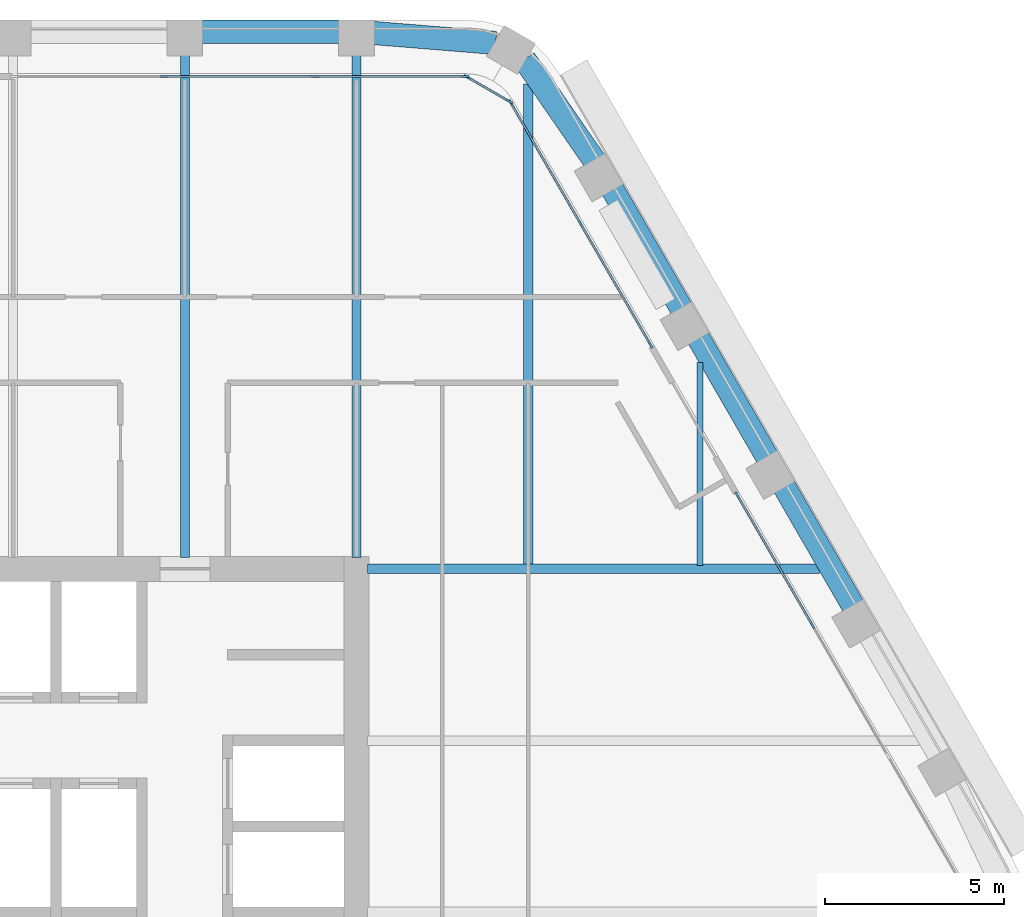
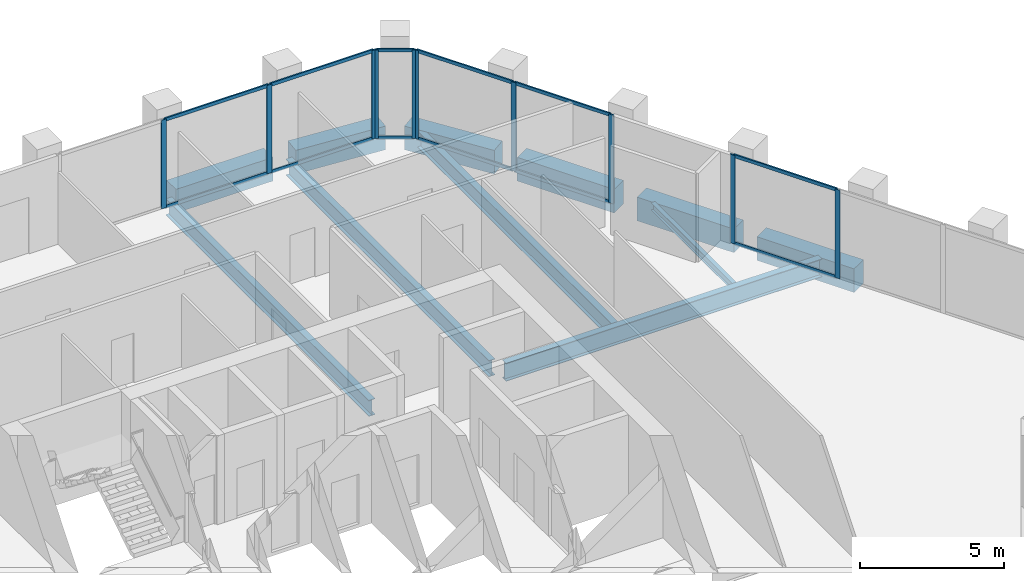
# One storey, part 6 of 15: 22 members, 11 beams, 4 elements without a shape of their own.
"""IFC4 building model written with IfcOpenShell, lengths in metres."""

import ifcopenshell
import ifcopenshell.guid

model = None  # the IFC model being written
_history = None  # IfcOwnerHistory: only IFC2X3 demands one
_inside = {}  # id of a spatial element -> (the spatial element, [elements in it])
_under = {}  # id of a project, library or spatial element -> (it, [spatial elements below it])
_declared = {}  # id of a project -> (the project, [libraries it declares])
_typed = {}  # id of a type object -> (the type object, [elements of that type])
_made_of = {}  # id of a material, layer set ... -> (it, [elements and type objects made of it])


def new_model(schema):
    """Start an empty IFC model of exactly this schema.

    Asked for "IFC4X3", IfcOpenShell would pick the latest addendum, in which some entities
    have other attributes; the version numbers below select the first issue.
    IFC2X3 requires an IfcOwnerHistory on every rooted entity: one is made here for all.
    """
    global model, _history
    if schema == "IFC4X3":
        model = ifcopenshell.file(schema_version=(4, 3, 0, 0))
    else:
        model = ifcopenshell.file(schema=schema)
    _inside.clear()
    _under.clear()
    _declared.clear()
    _typed.clear()
    _made_of.clear()
    _history = None
    if model.schema == "IFC2X3":
        org = make("IfcOrganization", Name="unknown")
        user = make(
            "IfcPersonAndOrganization",
            ThePerson=make("IfcPerson", FamilyName="unknown"),
            TheOrganization=org,
        )
        app = make(
            "IfcApplication",
            ApplicationDeveloper=org,
            Version="unknown",
            ApplicationFullName="unknown",
            ApplicationIdentifier="unknown",
        )
        _history = make(
            "IfcOwnerHistory",
            OwningUser=user,
            OwningApplication=app,
            ChangeAction="ADDED",
            CreationDate=0,
        )
    return model


def make(cls, **values):
    """One entity of the class cls with the attributes given. An attribute that is None is left unset."""
    return model.create_entity(
        cls, **{name: value for name, value in values.items() if value is not None}
    )


def rooted(cls, **values):
    """An entity with a GlobalId (a new one), such as an element, a storey or a relation."""
    return make(cls, GlobalId=ifcopenshell.guid.new(), OwnerHistory=_history, **values)


def si_unit(unit_type, name, prefix=None):
    """IfcSIUnit, for example si_unit("LENGTHUNIT", "METRE", prefix="MILLI")."""
    return make("IfcSIUnit", UnitType=unit_type, Prefix=prefix, Name=name)


def assignment(units):
    """IfcUnitAssignment: the units of a project."""
    return None if units is None else make("IfcUnitAssignment", Units=units)


def point(xyz):
    """IfcCartesianPoint."""
    return None if xyz is None else make("IfcCartesianPoint", Coordinates=xyz)


def direction(xyz):
    """IfcDirection."""
    return None if xyz is None else make("IfcDirection", DirectionRatios=xyz)


def frame(location, z_axis=None, x_axis=None):
    """IfcAxis2Placement3D, a coordinate frame: its origin and axes. An axis left out is left unset."""
    return make(
        "IfcAxis2Placement3D",
        Location=point(location),
        Axis=direction(z_axis),
        RefDirection=direction(x_axis),
    )


def frame_2d(location, x_axis=None):
    """IfcAxis2Placement2D, a coordinate frame in the plane: its origin and x axis."""
    return make(
        "IfcAxis2Placement2D", Location=point(location), RefDirection=direction(x_axis)
    )


def origin():
    """The frame at (0, 0, 0) with its axes left unset."""
    return frame((0.0, 0.0, 0.0))


def origin_2d():
    """The frame at (0, 0) in the plane with its x axis left unset."""
    return frame_2d((0.0, 0.0))


def place(relative_to, where):
    """IfcLocalPlacement: puts the frame where relative to a parent placement (None: the world)."""
    return make(
        "IfcLocalPlacement", PlacementRelTo=relative_to, RelativePlacement=where
    )


def context(
    kind, dimensions, precision=None, world=None, true_north=None, identifier=None
):
    """IfcGeometricRepresentationContext, for example the 3D "Model" context."""
    return make(
        "IfcGeometricRepresentationContext",
        ContextIdentifier=identifier,
        ContextType=kind,
        CoordinateSpaceDimension=dimensions,
        Precision=precision,
        WorldCoordinateSystem=world,
        TrueNorth=true_north,
    )


def subcontext(parent, identifier, kind, view, scale=None):
    """IfcGeometricRepresentationSubContext, for example "Body" below "Model"."""
    return make(
        "IfcGeometricRepresentationSubContext",
        ContextIdentifier=identifier,
        ContextType=kind,
        ParentContext=parent,
        TargetScale=scale,
        TargetView=view,
    )


def project(units=None, contexts=None):
    """IfcProject with its units and contexts."""
    return rooted(
        "IfcProject",
        Name="project",
        RepresentationContexts=contexts,
        UnitsInContext=assignment(units),
    )


def spatial(cls, under=None, at=None, **own):
    """A site, building, storey or space (cls), placed at a placement, below another one or the project."""
    s = rooted(cls, ObjectPlacement=at, **own)
    if under is not None:
        _under.setdefault(under.id(), (under, []))[1].append(s)
    return s


def profile(cls, at=None, kind="AREA", **sizes):
    """A parametric profile (cls). Its sizes go by their IFC names, for example OverallWidth=200.0."""
    return make(cls, ProfileType=kind, Position=at, **sizes)


def rectangle(**sizes):
    """IfcRectangleProfileDef."""
    return profile("IfcRectangleProfileDef", **sizes)


def i_section(**sizes):
    """IfcIShapeProfileDef."""
    return profile("IfcIShapeProfileDef", **sizes)


def extrude(swept, where, along, depth):
    """IfcExtrudedAreaSolid: the profile swept, set in the frame where, extruded along a direction by depth."""
    return make(
        "IfcExtrudedAreaSolid",
        SweptArea=swept,
        Position=where,
        ExtrudedDirection=direction(along),
        Depth=depth,
    )


def shape(context_of_items, identifier, shape_type, items):
    """IfcShapeRepresentation: the items that make up one representation, for example the "Body"."""
    return make(
        "IfcShapeRepresentation",
        ContextOfItems=context_of_items,
        RepresentationIdentifier=identifier,
        RepresentationType=shape_type,
        Items=items,
    )


def material(Name=None, Category=None):
    """IfcMaterial."""
    return make("IfcMaterial", Name=Name, Category=Category)


def material_profile(
    of_material, cross_section, Name=None, Category=None, Priority=None
):
    """IfcMaterialProfile: a cross section and its material."""
    return make(
        "IfcMaterialProfile",
        Name=Name,
        Material=of_material,
        Profile=cross_section,
        Priority=Priority,
        Category=Category,
    )


def profile_set(profiles, Name=None, composite=None):
    """IfcMaterialProfileSet."""
    return make(
        "IfcMaterialProfileSet",
        Name=Name,
        MaterialProfiles=profiles,
        CompositeProfile=composite,
    )


def made_of(thing, what):
    """Note that an element or type object is made of a material, layer set ...; save() writes the relation."""
    if what is not None:
        _made_of.setdefault(what.id(), (what, []))[1].append(thing)
    return thing


def type_object(cls, material=None, **own):
    """A type object (cls), such as IfcWallType, which elements share."""
    return made_of(rooted(cls, **own), material)


def element(
    cls,
    number,
    at=None,
    inside=None,
    cuts=None,
    type_object=None,
    material=None,
    context=None,
    identifier="Body",
    shape_type=None,
    held_by="IfcProductDefinitionShape",
    body=None,
    shapes=None,
    **own,
):
    """One element of the class cls, such as IfcWall. Its Tag is "e" and its number.

    at: its placement. inside: the storey or other place that contains it. cuts: it is an
    opening in that element (IfcRelVoidsElement). A single representation is given by context,
    identifier, shape_type and body (its items); several are given by shapes. held_by: the class
    of the entity that holds the representations. save() writes the other relations.
    """
    e = rooted(cls, Tag="e%d" % number, ObjectPlacement=at, **own)
    if body is not None:
        shapes = [shape(context, identifier, shape_type, body)]
    if shapes is not None:
        e.Representation = make(held_by, Representations=shapes)
    if inside is not None:
        _inside.setdefault(inside.id(), (inside, []))[1].append(e)
    if cuts is not None:
        rooted(
            "IfcRelVoidsElement", RelatingBuildingElement=cuts, RelatedOpeningElement=e
        )
    if type_object is not None:
        _typed.setdefault(type_object.id(), (type_object, []))[1].append(e)
    return made_of(e, material)


def aggregate(whole, parts):
    """IfcRelAggregates: a whole, such as a stair, and the parts it consists of."""
    return rooted("IfcRelAggregates", RelatingObject=whole, RelatedObjects=parts)


def save(model, path):
    """Write the relations noted so far, then the file.

    IfcRelAggregates (storeys below a building ...), IfcRelContainedInSpatialStructure (elements
    in a storey), IfcRelDefinesByType, IfcRelAssociatesMaterial and IfcRelDeclares: one each for
    every whole, place, type object, material and project.
    """
    for whole, parts in _under.values():
        aggregate(whole, parts)
    for where, things in _inside.values():
        rooted(
            "IfcRelContainedInSpatialStructure",
            RelatedElements=things,
            RelatingStructure=where,
        )
    for kind, things in _typed.values():
        rooted("IfcRelDefinesByType", RelatedObjects=things, RelatingType=kind)
    for what, things in _made_of.values():
        rooted("IfcRelAssociatesMaterial", RelatedObjects=things, RelatingMaterial=what)
    for by, libraries in _declared.values():
        rooted("IfcRelDeclares", RelatingContext=by, RelatedDefinitions=libraries)
    model.write(path)


model = new_model("IFC4")

# Units and contexts
model_context = context("Model", 3, precision=1e-05, world=origin(), true_north=direction((0.0, 1.0)))
body_context = subcontext(model_context, "Body", "Model", "MODEL_VIEW")
ifc_project = project(units=[si_unit("LENGTHUNIT", "METRE"), si_unit("AREAUNIT", "SQUARE_METRE"), si_unit("VOLUMEUNIT", "CUBIC_METRE"), si_unit("PLANEANGLEUNIT", "RADIAN"), si_unit("MASSUNIT", "GRAM", prefix="KILO")], contexts=[model_context])

# Site, building, storey
site_placement = place(None, origin())
site = spatial("IfcSite", under=ifc_project, at=site_placement, CompositionType="ELEMENT")
building_placement = place(site_placement, origin())
building = spatial("IfcBuilding", under=site, at=building_placement, Name="Kolab Exchange Tower", CompositionType="ELEMENT")
storey_placement = place(building_placement, frame((0.0, 0.0, 185.60009765625)))
storey = spatial("IfcBuildingStorey", under=building, at=storey_placement, Name="L39", CompositionType="ELEMENT", Elevation=185.60009765625)

# Beams
ifc_material_1 = material(Name="Steel S355", Category="steel")
ifc_material_profile_1 = material_profile(ifc_material_1, i_section(OverallWidth=0.1650390625, OverallDepth=0.31005859375, WebThickness=0.005859375, FlangeThickness=0.009765625, at=origin_2d()), Name="W310X39")
ifc_profile_set_1 = profile_set([ifc_material_profile_1], Name="Steel S355")
beam_type_1 = type_object("IfcBeamType", Name="FLOOR BEAM W310X39", PredefinedType="BEAM", material=ifc_profile_set_1)
beam_1_placement = place(storey_placement, frame((19.199951171875, 9.693603515625, -0.30517578125), z_axis=(0.0, 1.0, 0.0), x_axis=(-1.0, 0.0, 0.0)))
element("IfcBeam", 1, at=beam_1_placement, inside=storey, type_object=beam_type_1, Name="beam/L39/fr/023", PredefinedType="BEAM", context=body_context, shape_type="SweptSolid", body=[
    extrude(i_section(OverallWidth=0.1650390625, OverallDepth=0.31005859375, WebThickness=0.005859375, FlangeThickness=0.009765625, at=origin_2d()), origin(), (0.0, 0.0, 1.0), 5.674072265625),
])
ifc_material_profile_2 = material_profile(ifc_material_1, i_section(OverallWidth=0.25390625, OverallDepth=0.68408203125, WebThickness=0.012451171875, FlangeThickness=0.018798828125, at=origin_2d()), Name="W690X140")
ifc_profile_set_2 = profile_set([ifc_material_profile_2], Name="Steel S355")
beam_type_2 = type_object("IfcBeamType", Name="FLOOR BEAM W690X140", PredefinedType="BEAM", material=ifc_profile_set_2)
for number, where, z_axis, x_axis, name in (
    (2, (4.800048828125, 9.909912109375, -0.4921875), (0.0, 1.0, 0.0), (-1.0, 0.0, 0.0), "beam/L39/fr/014"),
    (3, (9.60009765625, 9.909912109375, -0.4921875), (0.0, 1.0, 0.0), (-1.0, 0.0, 0.0), "beam/L39/fr/016"),
):
    element("IfcBeam", number, at=place(storey_placement, frame(where, z_axis=z_axis, x_axis=x_axis)), inside=storey, type_object=beam_type_2, Name=name, PredefinedType="BEAM", context=body_context, shape_type="SweptSolid", body=[
        extrude(i_section(OverallWidth=0.25390625, OverallDepth=0.68408203125, WebThickness=0.012451171875, FlangeThickness=0.018798828125, at=origin_2d()), origin(), (0.0, 0.0, 1.0), 14.071533203125),
    ])
beam_2_placement = place(storey_placement, frame((14.39990234375, 9.693603515625, -0.4921875), z_axis=(0.0, 1.0, 0.0), x_axis=(-1.0, 0.0, 0.0)))
element("IfcBeam", 4, at=beam_2_placement, inside=storey, type_object=beam_type_2, Name="beam/L39/fr/021", PredefinedType="BEAM", context=body_context, shape_type="SweptSolid", body=[
    extrude(i_section(OverallWidth=0.25390625, OverallDepth=0.68408203125, WebThickness=0.012451171875, FlangeThickness=0.018798828125, at=origin_2d()), origin(), (0.0, 0.0, 1.0), 13.462158203125),
])
ifc_material_profile_3 = material_profile(ifc_material_1, i_section(OverallWidth=0.26708984375, OverallDepth=0.761962890625, WebThickness=0.014404296875, FlangeThickness=0.021484375, at=origin_2d()), Name="W760X173")
ifc_profile_set_3 = profile_set([ifc_material_profile_3], Name="Steel S355")
beam_type_3 = type_object("IfcBeamType", Name="FLOOR GIRDER W760X173", PredefinedType="BEAM", material=ifc_profile_set_3)
beam_3_placement = place(storey_placement, frame((9.909912109375, 9.60009765625, -0.531005859375), z_axis=(1.0, 0.0, 0.0), x_axis=(0.0, 1.0, 0.0)))
element("IfcBeam", 5, at=beam_3_placement, inside=storey, type_object=beam_type_3, Name="beam/L39/gd/003", PredefinedType="BEAM", context=body_context, shape_type="SweptSolid", body=[
    extrude(i_section(OverallWidth=0.26708984375, OverallDepth=0.761962890625, WebThickness=0.014404296875, FlangeThickness=0.021484375, at=origin_2d()), origin(), (0.0, 0.0, 1.0), 12.636962890625),
])
ifc_material_2 = material(Name="Concrete C60/75", Category="concrete")
ifc_material_profile_4 = material_profile(ifc_material_2, rectangle(XDim=0.64990234375, YDim=1.0, at=origin_2d()), Name="RC650X1000")
ifc_profile_set_4 = profile_set([ifc_material_profile_4], Name="Concrete C60/75")
beam_type_4 = type_object("IfcBeamType", Name="SPANDREL BEAM 650X1000 C60/75", PredefinedType="BEAM", material=ifc_profile_set_4)
beam_4_placement = place(storey_placement, frame((5.260009765625, 24.616455078125, -0.650146484375), z_axis=(1.0, 0.0, 0.0), x_axis=(0.0, 1.0, 0.0)))
element("IfcBeam", 6, at=beam_4_placement, inside=storey, type_object=beam_type_4, Name="beam/L39/sp/F1-05", PredefinedType="BEAM", context=body_context, shape_type="SweptSolid", body=[
    extrude(rectangle(XDim=0.64990234375, YDim=1.0, at=origin_2d()), origin(), (0.0, 0.0, 1.0), 3.8798828125),
])
for number, where, z_axis, x_axis, name in (
    (7, (10.06005859375, 24.5791015625, -0.650146484375), (0.996708497182, -0.081068931445, 0.0), (0.081068931445, 0.996708497182, 0.0), "beam/L39/sp/F1-06"),
    (8, (14.29736328125, 23.8359375, -0.650146484375), (0.568572281073, -0.822633309073, 0.0), (0.822633309073, 0.568572281073, 0.0), "beam/L39/sp/F2-01"),
):
    element("IfcBeam", number, at=place(storey_placement, frame(where, z_axis=z_axis, x_axis=x_axis)), inside=storey, type_object=beam_type_4, Name=name, PredefinedType="BEAM", context=body_context, shape_type="SweptSolid", body=[
        extrude(rectangle(XDim=0.64990234375, YDim=1.0, at=origin_2d()), origin(), (0.0, 0.0, 1.0), 3.445068359375),
    ])
beam_5_placement = place(storey_placement, frame((16.74853515625, 20.2236328125, -0.650146484375), z_axis=(0.499996613652, -0.866027358884, 0.0), x_axis=(0.866027358884, 0.499996613652, 0.0)))
element("IfcBeam", 9, at=beam_5_placement, inside=storey, type_object=beam_type_4, Name="beam/L39/sp/F2-02", PredefinedType="BEAM", context=body_context, shape_type="SweptSolid", body=[
    extrude(rectangle(XDim=0.64990234375, YDim=1.0, at=origin_2d()), origin(), (0.0, 0.0, 1.0), 3.8798828125),
])
beam_6_placement = place(storey_placement, frame((19.1484375, 16.06689453125, -0.650146484375), z_axis=(0.50001655835, -0.866015843605, 0.0), x_axis=(0.866015843605, 0.50001655835, 0.0)))
element("IfcBeam", 10, at=beam_6_placement, inside=storey, type_object=beam_type_4, Name="beam/L39/sp/F2-03", PredefinedType="BEAM", context=body_context, shape_type="SweptSolid", body=[
    extrude(rectangle(XDim=0.64990234375, YDim=1.0, at=origin_2d()), origin(), (0.0, 0.0, 1.0), 3.880126953125),
])
beam_7_placement = place(storey_placement, frame((21.548583984375, 11.909912109375, -0.650146484375), z_axis=(0.499996613652, -0.866027358884, 0.0), x_axis=(0.866027358884, 0.499996613652, 0.0)))
element("IfcBeam", 11, at=beam_7_placement, inside=storey, type_object=beam_type_4, Name="beam/L39/sp/F2-04", PredefinedType="BEAM", context=body_context, shape_type="SweptSolid", body=[
    extrude(rectangle(XDim=0.64990234375, YDim=1.0, at=origin_2d()), origin(), (0.0, 0.0, 1.0), 3.8798828125),
])

# Curtain wall, members
ifc_material_3 = material(Name="Aluminium EN AW-6063 T6", Category="aluminium")
curtain_wall_type = type_object("IfcCurtainWallType", Name="UNITISED UPPER MID ZONE CURTAIN WALL", PredefinedType="NOTDEFINED", material=ifc_material_3)
curtain_wall_1_placement = place(storey_placement, origin())
curtain_wall_1 = element("IfcCurtainWall", 12, at=curtain_wall_1_placement, inside=storey, type_object=curtain_wall_type, Name="cw/L39/F1-2", PredefinedType="NOTDEFINED")
ifc_material_profile_5 = material_profile(ifc_material_3, rectangle(XDim=0.06005859375, YDim=0.199951171875, at=origin_2d()), Name="RECT 60X200")
ifc_profile_set_5 = profile_set([ifc_material_profile_5], Name="Aluminium EN AW-6063 T6")
member_type_1 = type_object("IfcMemberType", Name="UNITISED UPPER MID ZONE MULLION 60 X 200", PredefinedType="MULLION", material=ifc_profile_set_5)
member_1_placement = place(storey_placement, frame((4.22265625, 23.361572265625, 0.0), z_axis=(0.0, 0.0, 1.0), x_axis=(0.0, 1.0, 0.0)))
member_1 = element("IfcMember", 13, at=member_1_placement, type_object=member_type_1, Name="CW3 mullion 2", PredefinedType="MULLION", context=body_context, shape_type="SweptSolid", body=[
    extrude(rectangle(XDim=0.06005859375, YDim=0.199951171875, at=origin_2d()), origin(), (0.0, 0.0, 1.0), 3.75),
])
member_2_placement = place(storey_placement, frame((8.4453125, 23.361572265625, 0.0), z_axis=(0.0, 0.0, 1.0), x_axis=(0.0, 1.0, 0.0)))
member_2 = element("IfcMember", 14, at=member_2_placement, type_object=member_type_1, Name="CW3 mullion 3", PredefinedType="MULLION", context=body_context, shape_type="SweptSolid", body=[
    extrude(rectangle(XDim=0.06005859375, YDim=0.199951171875, at=origin_2d()), origin(), (0.0, 0.0, 1.0), 3.75),
])
member_3_placement = place(storey_placement, frame((12.637939453125, 23.361572265625, 0.0), z_axis=(0.0, 0.0, 1.0), x_axis=(0.0, 1.0, 0.0)))
member_3 = element("IfcMember", 15, at=member_3_placement, type_object=member_type_1, Name="CW3 mullion 4", PredefinedType="MULLION", context=body_context, shape_type="SweptSolid", body=[
    extrude(rectangle(XDim=0.06005859375, YDim=0.199951171875, at=origin_2d()), origin(), (0.0, 0.0, 1.0), 3.75),
])

curtain_wall_2_placement = place(storey_placement, origin())
curtain_wall_2 = element("IfcCurtainWall", 16, at=curtain_wall_2_placement, inside=storey, type_object=curtain_wall_type, Name="cw/L39/F2-1", PredefinedType="NOTDEFINED")
member_4_placement = place(storey_placement, frame((13.91259765625, 22.62548828125, 0.0), z_axis=(0.0, 0.0, 1.0), x_axis=(0.866025385493, 0.500000031681, 0.0)))
member_4 = element("IfcMember", 17, at=member_4_placement, type_object=member_type_1, Name="CW3 mullion 1", PredefinedType="MULLION", context=body_context, shape_type="SweptSolid", body=[
    extrude(rectangle(XDim=0.06005859375, YDim=0.199951171875, at=origin_2d()), origin(), (0.0, 0.0, 1.0), 3.75),
])
member_5_placement = place(storey_placement, frame((15.86474609375, 19.24462890625, 0.0), z_axis=(0.0, 0.0, 1.0), x_axis=(0.866025385493, 0.500000031681, 0.0)))
member_5 = element("IfcMember", 18, at=member_5_placement, type_object=member_type_1, Name="CW3 mullion 2", PredefinedType="MULLION", context=body_context, shape_type="SweptSolid", body=[
    extrude(rectangle(XDim=0.06005859375, YDim=0.199951171875, at=origin_2d()), origin(), (0.0, 0.0, 1.0), 3.75),
])
member_6_placement = place(storey_placement, frame((17.816650390625, 15.86376953125, 0.0), z_axis=(0.0, 0.0, 1.0), x_axis=(0.866025385493, 0.500000031681, 0.0)))
member_6 = element("IfcMember", 19, at=member_6_placement, type_object=member_type_1, Name="CW3 mullion 3", PredefinedType="MULLION", context=body_context, shape_type="SweptSolid", body=[
    extrude(rectangle(XDim=0.06005859375, YDim=0.199951171875, at=origin_2d()), origin(), (0.0, 0.0, 1.0), 3.75),
])

curtain_wall_3_placement = place(storey_placement, origin())
curtain_wall_3 = element("IfcCurtainWall", 20, at=curtain_wall_3_placement, inside=storey, type_object=curtain_wall_type, Name="cw/L39/F2-2", PredefinedType="NOTDEFINED")
member_7_placement = place(storey_placement, frame((20.24658203125, 11.65478515625, 0.0), z_axis=(0.0, 0.0, 1.0), x_axis=(0.866025427826, 0.499999958358, 0.0)))
member_7 = element("IfcMember", 21, at=member_7_placement, type_object=member_type_1, Name="CW3 mullion 1", PredefinedType="MULLION", context=body_context, shape_type="SweptSolid", body=[
    extrude(rectangle(XDim=0.06005859375, YDim=0.199951171875, at=origin_2d()), origin(), (0.0, 0.0, 1.0), 3.75),
])
member_8_placement = place(storey_placement, frame((22.343017578125, 8.02392578125, 0.0), z_axis=(0.0, 0.0, 1.0), x_axis=(0.866025427826, 0.499999958358, 0.0)))
member_8 = element("IfcMember", 22, at=member_8_placement, type_object=member_type_1, Name="CW3 mullion 2", PredefinedType="MULLION", context=body_context, shape_type="SweptSolid", body=[
    extrude(rectangle(XDim=0.06005859375, YDim=0.199951171875, at=origin_2d()), origin(), (0.0, 0.0, 1.0), 3.75),
])

curtain_wall_4_placement = place(storey_placement, origin())
curtain_wall_4 = element("IfcCurtainWall", 23, at=curtain_wall_4_placement, inside=storey, type_object=curtain_wall_type, Name="cw/L39/F1F2-corner", PredefinedType="NOTDEFINED")
member_9_placement = place(storey_placement, frame((12.69384765625, 23.346435546875, 0.0), z_axis=(0.0, 0.0, 1.0), x_axis=(0.50000002237, 0.866025390869, 0.0)))
member_9 = element("IfcMember", 24, at=member_9_placement, type_object=member_type_1, Name="CW3 mullion 1", PredefinedType="MULLION", context=body_context, shape_type="SweptSolid", body=[
    extrude(rectangle(XDim=0.06005859375, YDim=0.199951171875, at=origin_2d()), origin(), (0.0, 0.0, 1.0), 3.75),
])
member_10_placement = place(storey_placement, frame((13.871826171875, 22.66650390625, 0.0), z_axis=(0.0, 0.0, 1.0), x_axis=(0.50000002237, 0.866025390869, 0.0)))
member_10 = element("IfcMember", 25, at=member_10_placement, type_object=member_type_1, Name="CW3 mullion 2", PredefinedType="MULLION", context=body_context, shape_type="SweptSolid", body=[
    extrude(rectangle(XDim=0.06005859375, YDim=0.199951171875, at=origin_2d()), origin(), (0.0, 0.0, 1.0), 3.75),
])

# Member
ifc_material_profile_6 = material_profile(ifc_material_3, rectangle(XDim=0.06005859375, YDim=0.139892578125, at=origin_2d()), Name="RECT 60X140")
ifc_profile_set_6 = profile_set([ifc_material_profile_6], Name="Aluminium EN AW-6063 T6")
member_type_2 = type_object("IfcMemberType", Name="UNITISED UPPER MID ZONE TRANSOM 60 X 140", PredefinedType="USERDEFINED", material=ifc_profile_set_6)
member_11_placement = place(storey_placement, frame((4.252685546875, 23.361572265625, 0.02978515625), z_axis=(1.0, 0.0, 0.0), x_axis=(0.0, 1.0, 0.0)))
member_11 = element("IfcMember", 26, at=member_11_placement, type_object=member_type_2, Name="CW3 transom 2.1", ObjectType="TRANSOM", PredefinedType="USERDEFINED", context=body_context, shape_type="SweptSolid", body=[
    extrude(rectangle(XDim=0.06005859375, YDim=0.139892578125, at=origin_2d()), origin(), (0.0, 0.0, 1.0), 4.16259765625),
])

member_12_placement = place(storey_placement, frame((4.252685546875, 23.361572265625, 3.719970703125), z_axis=(1.0, 0.0, 0.0), x_axis=(0.0, 1.0, 0.0)))
member_12 = element("IfcMember", 27, at=member_12_placement, type_object=member_type_2, Name="CW3 transom 2.2", ObjectType="TRANSOM", PredefinedType="USERDEFINED", context=body_context, shape_type="SweptSolid", body=[
    extrude(rectangle(XDim=0.06005859375, YDim=0.139892578125, at=origin_2d()), origin(), (0.0, 0.0, 1.0), 4.16259765625),
])

member_13_placement = place(storey_placement, frame((8.475341796875, 23.361572265625, 0.02978515625), z_axis=(1.0, 0.0, 0.0), x_axis=(0.0, 1.0, 0.0)))
member_13 = element("IfcMember", 28, at=member_13_placement, type_object=member_type_2, Name="CW3 transom 3.1", ObjectType="TRANSOM", PredefinedType="USERDEFINED", context=body_context, shape_type="SweptSolid", body=[
    extrude(rectangle(XDim=0.06005859375, YDim=0.139892578125, at=origin_2d()), origin(), (0.0, 0.0, 1.0), 4.132568359375),
])

member_14_placement = place(storey_placement, frame((8.475341796875, 23.361572265625, 3.719970703125), z_axis=(1.0, 0.0, 0.0), x_axis=(0.0, 1.0, 0.0)))
member_14 = element("IfcMember", 29, at=member_14_placement, type_object=member_type_2, Name="CW3 transom 3.2", ObjectType="TRANSOM", PredefinedType="USERDEFINED", context=body_context, shape_type="SweptSolid", body=[
    extrude(rectangle(XDim=0.06005859375, YDim=0.139892578125, at=origin_2d()), origin(), (0.0, 0.0, 1.0), 4.132568359375),
])

aggregate(curtain_wall_1, [member_1, member_2, member_3, member_11, member_12, member_13, member_14])

member_15_placement = place(storey_placement, frame((13.927734375, 22.599609375, 0.02978515625), z_axis=(0.499964356602, -0.866045981532, 0.0), x_axis=(0.866045981532, 0.499964356602, 0.0)))
member_15 = element("IfcMember", 30, at=member_15_placement, type_object=member_type_2, Name="CW3 transom 1.1", ObjectType="TRANSOM", PredefinedType="USERDEFINED", context=body_context, shape_type="SweptSolid", body=[
    extrude(rectangle(XDim=0.06005859375, YDim=0.139892578125, at=origin_2d()), origin(), (0.0, 0.0, 1.0), 3.843994140625),
])

member_16_placement = place(storey_placement, frame((13.927734375, 22.599609375, 3.719970703125), z_axis=(0.499964356602, -0.866045981532, 0.0), x_axis=(0.866045981532, 0.499964356602, 0.0)))
member_16 = element("IfcMember", 31, at=member_16_placement, type_object=member_type_2, Name="CW3 transom 1.2", ObjectType="TRANSOM", PredefinedType="USERDEFINED", context=body_context, shape_type="SweptSolid", body=[
    extrude(rectangle(XDim=0.06005859375, YDim=0.139892578125, at=origin_2d()), origin(), (0.0, 0.0, 1.0), 3.843994140625),
])

member_17_placement = place(storey_placement, frame((15.879638671875, 19.21875, 0.02978515625), z_axis=(0.500011990396, -0.866018481016, 0.0), x_axis=(0.866018481016, 0.500011990396, 0.0)))
member_17 = element("IfcMember", 32, at=member_17_placement, type_object=member_type_2, Name="CW3 transom 2.1", ObjectType="TRANSOM", PredefinedType="USERDEFINED", context=body_context, shape_type="SweptSolid", body=[
    extrude(rectangle(XDim=0.06005859375, YDim=0.139892578125, at=origin_2d()), origin(), (0.0, 0.0, 1.0), 3.84423828125),
])

member_18_placement = place(storey_placement, frame((15.879638671875, 19.21875, 3.719970703125), z_axis=(0.500011990396, -0.866018481016, 0.0), x_axis=(0.866018481016, 0.500011990396, 0.0)))
member_18 = element("IfcMember", 33, at=member_18_placement, type_object=member_type_2, Name="CW3 transom 2.2", ObjectType="TRANSOM", PredefinedType="USERDEFINED", context=body_context, shape_type="SweptSolid", body=[
    extrude(rectangle(XDim=0.06005859375, YDim=0.139892578125, at=origin_2d()), origin(), (0.0, 0.0, 1.0), 3.84423828125),
])

aggregate(curtain_wall_2, [member_4, member_5, member_6, member_15, member_16, member_17, member_18])

member_19_placement = place(storey_placement, frame((20.26171875, 11.62890625, 0.02978515625), z_axis=(0.500001996123, -0.866024251319, 0.0), x_axis=(0.866024251319, 0.500001996123, 0.0)))
member_19 = element("IfcMember", 34, at=member_19_placement, type_object=member_type_2, Name="CW3 transom 1.1", ObjectType="TRANSOM", PredefinedType="USERDEFINED", context=body_context, shape_type="SweptSolid", body=[
    extrude(rectangle(XDim=0.06005859375, YDim=0.139892578125, at=origin_2d()), origin(), (0.0, 0.0, 1.0), 4.1328125),
])

member_20_placement = place(storey_placement, frame((20.26171875, 11.62890625, 3.719970703125), z_axis=(0.500001996123, -0.866024251319, 0.0), x_axis=(0.866024251319, 0.500001996123, 0.0)))
member_20 = element("IfcMember", 35, at=member_20_placement, type_object=member_type_2, Name="CW3 transom 1.2", ObjectType="TRANSOM", PredefinedType="USERDEFINED", context=body_context, shape_type="SweptSolid", body=[
    extrude(rectangle(XDim=0.06005859375, YDim=0.139892578125, at=origin_2d()), origin(), (0.0, 0.0, 1.0), 4.1328125),
])

aggregate(curtain_wall_3, [member_7, member_8, member_19, member_20])

member_21_placement = place(storey_placement, frame((12.719970703125, 23.33154296875, 0.02978515625), z_axis=(0.86603858612, -0.49997716683, 0.0), x_axis=(0.49997716683, 0.86603858612, 0.0)))
member_21 = element("IfcMember", 36, at=member_21_placement, type_object=member_type_2, Name="CW3 transom 1.1", ObjectType="TRANSOM", PredefinedType="USERDEFINED", context=body_context, shape_type="SweptSolid", body=[
    extrude(rectangle(XDim=0.06005859375, YDim=0.139892578125, at=origin_2d()), origin(), (0.0, 0.0, 1.0), 1.2998046875),
])

member_22_placement = place(storey_placement, frame((12.719970703125, 23.33154296875, 3.719970703125), z_axis=(0.86603858612, -0.49997716683, 0.0), x_axis=(0.49997716683, 0.86603858612, 0.0)))
member_22 = element("IfcMember", 37, at=member_22_placement, type_object=member_type_2, Name="CW3 transom 1.2", ObjectType="TRANSOM", PredefinedType="USERDEFINED", context=body_context, shape_type="SweptSolid", body=[
    extrude(rectangle(XDim=0.06005859375, YDim=0.139892578125, at=origin_2d()), origin(), (0.0, 0.0, 1.0), 1.2998046875),
])

aggregate(curtain_wall_4, [member_9, member_10, member_21, member_22])

save(model, "model.ifc")
